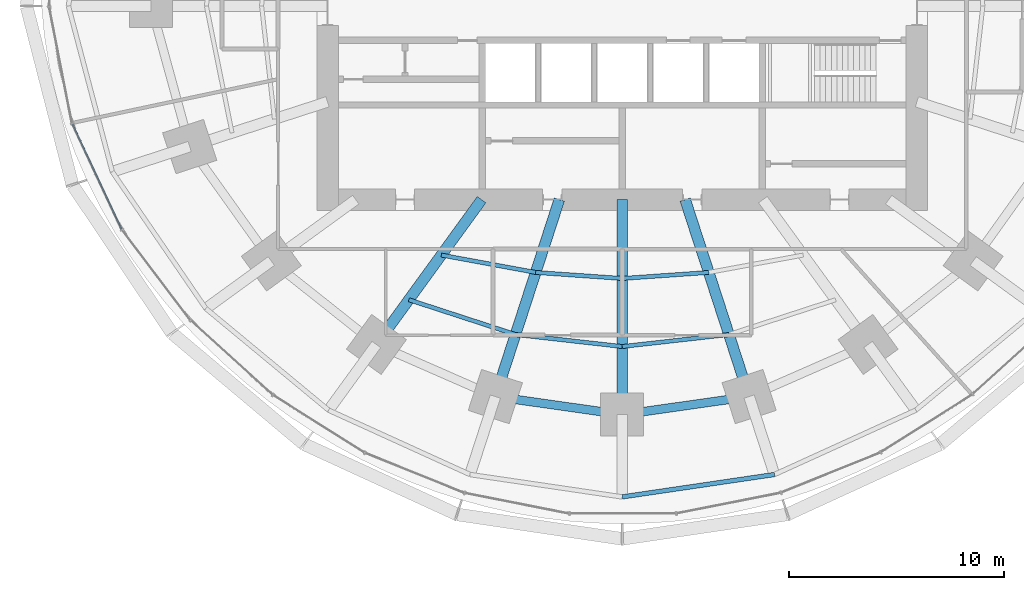
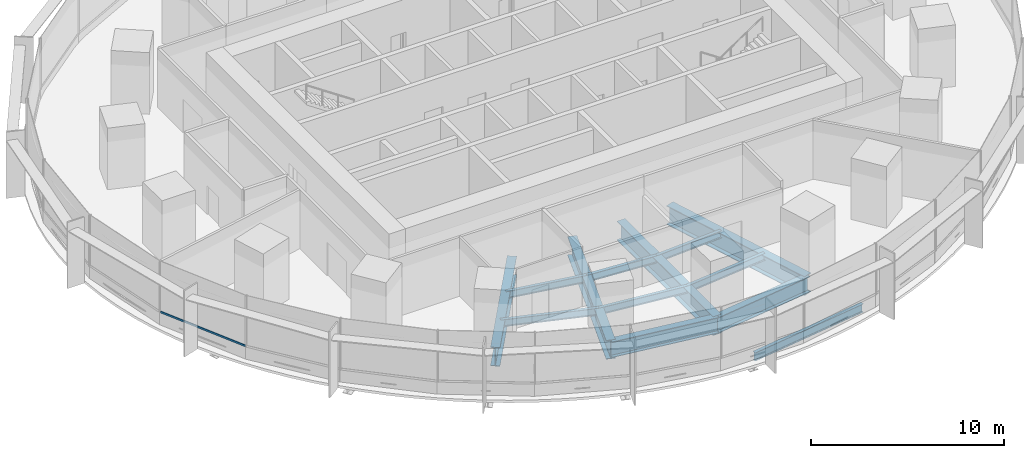
# One storey, part 3 of 15: 13 beams, 1 member, 1 element without a shape of its own.
"""IFC4 building model written with IfcOpenShell, lengths in metres."""

from ifc_helpers import new_model, si_unit, direction, frame, origin, origin_2d, place, context, subcontext, project, spatial, rectangle, i_section, extrude, material, material_profile, profile_set, type_object, element, aggregate, save


model = new_model("IFC4")

# Units and contexts
model_context = context("Model", 3, precision=1e-05, world=origin(), true_north=direction((0.0, 1.0)))
body_context = subcontext(model_context, "Body", "Model", "MODEL_VIEW")
ifc_project = project(units=[si_unit("LENGTHUNIT", "METRE"), si_unit("AREAUNIT", "SQUARE_METRE"), si_unit("VOLUMEUNIT", "CUBIC_METRE"), si_unit("PLANEANGLEUNIT", "RADIAN"), si_unit("MASSUNIT", "GRAM", prefix="KILO")], contexts=[model_context])

# Site, building, storey
site_placement = place(None, origin())
site = spatial("IfcSite", under=ifc_project, at=site_placement, CompositionType="ELEMENT")
building_placement = place(site_placement, origin())
building = spatial("IfcBuilding", under=site, at=building_placement, Name="Marramba Exchange Tower", CompositionType="ELEMENT")
storey_placement = place(building_placement, frame((0.0, 0.0, 44.800048828125)))
storey = spatial("IfcBuildingStorey", under=building, at=storey_placement, Name="L10", CompositionType="ELEMENT", Elevation=44.800048828125)

# Beams
ifc_material_1 = material(Name="Steel AS/NZS 3679.1 grade 300", Category="steel")
ifc_material_profile_1 = material_profile(ifc_material_1, i_section(OverallWidth=0.18994140625, OverallDepth=0.4541015625, WebThickness=0.008544921875, FlangeThickness=0.0126953125, FilletRadius=0.011474609375, at=origin_2d()), Name="460UB67.1")
ifc_profile_set_1 = profile_set([ifc_material_profile_1], Name="Steel AS/NZS 3679.1 grade 300")
beam_type_1 = type_object("IfcBeamType", Name="Floor joist 460UB67.1", PredefinedType="JOIST", material=ifc_profile_set_1)
beam_1_placement = place(storey_placement, frame((-8.41162109375, -11.57763671875, -0.386962890625), z_axis=(0.983455754421, -0.181148500119, 0.0), x_axis=(0.181148500119, 0.983455754421, 0.0)))
element("IfcBeam", 1, at=beam_1_placement, inside=storey, type_object=beam_type_1, Name="Joist L10 bay 14 row 1", PredefinedType="JOIST", context=body_context, shape_type="SweptSolid", body=[
    extrude(i_section(OverallWidth=0.18994140625, OverallDepth=0.4541015625, WebThickness=0.008544921875, FlangeThickness=0.0126953125, FilletRadius=0.011474609375, at=origin_2d()), origin(), (0.0, 0.0, 1.0), 4.4609375),
])
beam_2_placement = place(storey_placement, frame((-9.9208984375, -13.655029296875, -0.386962890625), z_axis=(0.950764024931, -0.309915744834, 0.0), x_axis=(0.309915744834, 0.950764024931, 0.0)))
element("IfcBeam", 2, at=beam_2_placement, inside=storey, type_object=beam_type_1, Name="Joist L10 bay 14 row 2", PredefinedType="JOIST", context=body_context, shape_type="SweptSolid", body=[
    extrude(i_section(OverallWidth=0.18994140625, OverallDepth=0.4541015625, WebThickness=0.008544921875, FlangeThickness=0.0126953125, FilletRadius=0.011474609375, at=origin_2d()), origin(), (0.0, 0.0, 1.0), 5.2158203125),
])
beam_3_placement = place(storey_placement, frame((-4.0244140625, -12.3857421875, -0.386962890625), z_axis=(0.99759625901, -0.069294328838, 0.0), x_axis=(0.069294328838, 0.99759625901, 0.0)))
element("IfcBeam", 3, at=beam_3_placement, inside=storey, type_object=beam_type_1, Name="Joist L10 bay 15 row 1", PredefinedType="JOIST", context=body_context, shape_type="SweptSolid", body=[
    extrude(i_section(OverallWidth=0.18994140625, OverallDepth=0.4541015625, WebThickness=0.008544921875, FlangeThickness=0.0126953125, FilletRadius=0.011474609375, at=origin_2d()), origin(), (0.0, 0.0, 1.0), 4.0341796875),
])
beam_4_placement = place(storey_placement, frame((-4.9619140625, -15.271484375, -0.386962890625), z_axis=(0.993712018573, -0.111966174106, 0.0), x_axis=(0.111966174106, 0.993712018573, 0.0)))
element("IfcBeam", 4, at=beam_4_placement, inside=storey, type_object=beam_type_1, Name="Joist L10 bay 15 row 2", PredefinedType="JOIST", context=body_context, shape_type="SweptSolid", body=[
    extrude(i_section(OverallWidth=0.18994140625, OverallDepth=0.4541015625, WebThickness=0.008544921875, FlangeThickness=0.0126953125, FilletRadius=0.011474609375, at=origin_2d()), origin(), (0.0, 0.0, 1.0), 4.993408203125),
])
beam_5_placement = place(storey_placement, frame((0.0, -12.665283203125, -0.386962890625), z_axis=(0.99759625901, 0.069294328838, 0.0), x_axis=(-0.069294328838, 0.99759625901, 0.0)))
element("IfcBeam", 5, at=beam_5_placement, inside=storey, type_object=beam_type_1, Name="Joist L10 bay 16 row 1", PredefinedType="JOIST", context=body_context, shape_type="SweptSolid", body=[
    extrude(i_section(OverallWidth=0.18994140625, OverallDepth=0.4541015625, WebThickness=0.008544921875, FlangeThickness=0.0126953125, FilletRadius=0.011474609375, at=origin_2d()), origin(), (0.0, 0.0, 1.0), 4.0341796875),
])
beam_6_placement = place(storey_placement, frame((0.0, -15.83056640625, -0.386962890625), z_axis=(0.993712018573, 0.111966174106, 0.0), x_axis=(-0.111966174106, 0.993712018573, 0.0)))
element("IfcBeam", 6, at=beam_6_placement, inside=storey, type_object=beam_type_1, Name="Joist L10 bay 16 row 2", PredefinedType="JOIST", context=body_context, shape_type="SweptSolid", body=[
    extrude(i_section(OverallWidth=0.18994140625, OverallDepth=0.4541015625, WebThickness=0.008544921875, FlangeThickness=0.0126953125, FilletRadius=0.011474609375, at=origin_2d()), origin(), (0.0, 0.0, 1.0), 4.993408203125),
])
ifc_material_2 = material(Name="Steel AS/NZS 3679.2 grade 300", Category="steel")
ifc_material_profile_2 = material_profile(ifc_material_2, i_section(OverallWidth=0.5, OverallDepth=1.199951171875, WebThickness=0.01611328125, FlangeThickness=0.0400390625, at=origin_2d()), Name="1200WB455")
ifc_profile_set_2 = profile_set([ifc_material_profile_2], Name="Steel AS/NZS 3679.2 grade 300")
beam_type_2 = type_object("IfcBeamType", Name="Radial girder 1200WB455", PredefinedType="BEAM", material=ifc_profile_set_2)
beam_7_placement = place(storey_placement, frame((-6.538818359375, -9.0, -0.760009765625), z_axis=(-0.587787877172, -0.809015087282, 0.0), x_axis=(0.809015087282, -0.587787877172, 0.0)))
element("IfcBeam", 7, at=beam_7_placement, inside=storey, type_object=beam_type_2, Name="Radial girder L10 TC14", PredefinedType="BEAM", context=body_context, shape_type="SweptSolid", body=[
    extrude(i_section(OverallWidth=0.5, OverallDepth=1.199951171875, WebThickness=0.01611328125, FlangeThickness=0.0400390625, at=origin_2d()), origin(), (0.0, 0.0, 1.0), 8.322021484375),
])
beam_8_placement = place(storey_placement, frame((-2.92431640625, -9.0, -0.760009765625), z_axis=(-0.309022428985, -0.951054750466, 0.0), x_axis=(0.951054750466, -0.309022428985, 0.0)))
element("IfcBeam", 8, at=beam_8_placement, inside=storey, type_object=beam_type_2, Name="Radial girder L10 TC15", PredefinedType="BEAM", context=body_context, shape_type="SweptSolid", body=[
    extrude(i_section(OverallWidth=0.5, OverallDepth=1.199951171875, WebThickness=0.01611328125, FlangeThickness=0.0400390625, at=origin_2d()), origin(), (0.0, 0.0, 1.0), 9.628173828125),
])
beam_9_placement = place(storey_placement, frame((0.0, -9.0, -0.760009765625), z_axis=(0.0, -1.0, 0.0), x_axis=(1.0, 0.0, 0.0)))
element("IfcBeam", 9, at=beam_9_placement, inside=storey, type_object=beam_type_2, Name="Radial girder L10 TC16", PredefinedType="BEAM", context=body_context, shape_type="SweptSolid", body=[
    extrude(i_section(OverallWidth=0.5, OverallDepth=1.199951171875, WebThickness=0.01611328125, FlangeThickness=0.0400390625, at=origin_2d()), origin(), (0.0, 0.0, 1.0), 9.99609375),
])
beam_10_placement = place(storey_placement, frame((2.92431640625, -9.0, -0.760009765625), z_axis=(0.309022428985, -0.951054750466, 0.0), x_axis=(0.951054750466, 0.309022428985, 0.0)))
element("IfcBeam", 10, at=beam_10_placement, inside=storey, type_object=beam_type_2, Name="Radial girder L10 TC17", PredefinedType="BEAM", context=body_context, shape_type="SweptSolid", body=[
    extrude(i_section(OverallWidth=0.5, OverallDepth=1.199951171875, WebThickness=0.01611328125, FlangeThickness=0.0400390625, at=origin_2d()), origin(), (0.0, 0.0, 1.0), 9.628173828125),
])
ifc_material_profile_3 = material_profile(ifc_material_2, i_section(OverallWidth=0.39990234375, OverallDepth=1.0, WebThickness=0.01611328125, FlangeThickness=0.031982421875, at=origin_2d()), Name="1000WB322")
ifc_profile_set_3 = profile_set([ifc_material_profile_3], Name="Steel AS/NZS 3679.2 grade 300")
beam_type_3 = type_object("IfcBeamType", Name="Ring beam 1000WB322", PredefinedType="SPANDREL", material=ifc_profile_set_3)
for number, where, z_axis, x_axis, name in (
    (11, (-5.899658203125, -18.156982421875, -0.66015625), (0.990036163016, -0.140813337152, 0.0), (0.140813337152, 0.990036163016, 0.0), "Ring beam L10 TC15-TC16"),
    (12, (0.0, -18.99609375, -0.66015625), (0.990036163016, 0.140813337152, 0.0), (-0.140813337152, 0.990036163016, 0.0), "Ring beam L10 TC16-TC17"),
):
    element("IfcBeam", number, at=place(storey_placement, frame(where, z_axis=z_axis, x_axis=x_axis)), inside=storey, type_object=beam_type_3, Name=name, PredefinedType="SPANDREL", context=body_context, shape_type="SweptSolid", body=[
        extrude(i_section(OverallWidth=0.39990234375, OverallDepth=1.0, WebThickness=0.01611328125, FlangeThickness=0.031982421875, at=origin_2d()), origin(), (0.0, 0.0, 1.0), 5.958984375),
    ])
ifc_material_profile_4 = material_profile(ifc_material_1, i_section(OverallWidth=0.208984375, OverallDepth=0.528076171875, WebThickness=0.009521484375, FlangeThickness=0.01318359375, FilletRadius=0.013916015625, at=origin_2d()), Name="530UB82.0")
ifc_profile_set_4 = profile_set([ifc_material_profile_4], Name="Steel AS/NZS 3679.1 grade 300")
beam_type_4 = type_object("IfcBeamType", Name="Slab edge beam 530UB82.0", PredefinedType="SPANDREL", material=ifc_profile_set_4)
beam_11_placement = place(storey_placement, frame((0.0, -22.822021484375, -0.424072265625), z_axis=(0.989338462178, 0.145634498848, 0.0), x_axis=(-0.145634498848, 0.989338462178, 0.0)))
element("IfcBeam", 13, at=beam_11_placement, inside=storey, type_object=beam_type_4, Name="Slab edge beam L10 TC16-TC17", PredefinedType="SPANDREL", context=body_context, shape_type="SweptSolid", body=[
    extrude(i_section(OverallWidth=0.208984375, OverallDepth=0.528076171875, WebThickness=0.009521484375, FlangeThickness=0.01318359375, FilletRadius=0.013916015625, at=origin_2d()), origin(), (0.0, 0.0, 1.0), 7.153076171875),
])

# Curtain wall, member
ifc_material_3 = material(Name="Aluminium framing, bronze anodised", Category="aluminium")
curtain_wall_type = type_object("IfcCurtainWallType", Name="Trading floor ribbon curtain wall", PredefinedType="USERDEFINED", material=ifc_material_3)
curtain_wall_placement = place(storey_placement, origin())
curtain_wall = element("IfcCurtainWall", 14, at=curtain_wall_placement, inside=storey, type_object=curtain_wall_type, Name="Curtain wall CW3 L10 F16-F20", ObjectType="RIBBON CURTAIN WALL", PredefinedType="USERDEFINED")
ifc_material_4 = material(Name="Aluminium transom, bronze anodised", Category="aluminium")
ifc_material_profile_5 = material_profile(ifc_material_4, rectangle(XDim=0.06005859375, YDim=0.1201171875, at=origin_2d()), Name="CW3 transom 60x120")
ifc_profile_set_5 = profile_set([ifc_material_profile_5], Name="Aluminium transom, bronze anodised")
member_type = type_object("IfcMemberType", Name="Trading floor ribbon curtain wall transom", PredefinedType="USERDEFINED", material=ifc_profile_set_5)
member_placement = place(storey_placement, frame((-25.559326171875, -5.492431640625, 0.829833984375), z_axis=(0.423494101671, -0.905898860718, 0.0), x_axis=(0.905898860718, 0.423494101671, 0.0)))
member = element("IfcMember", 15, at=member_placement, type_object=member_type, Name="CW3 sill transom", ObjectType="TRANSOM", PredefinedType="USERDEFINED", context=body_context, shape_type="SweptSolid", body=[
    extrude(rectangle(XDim=0.06005859375, YDim=0.1201171875, at=origin_2d()), origin(), (0.0, 0.0, 1.0), 5.379150390625),
])
aggregate(curtain_wall, [member])

save(model, "model.ifc")
